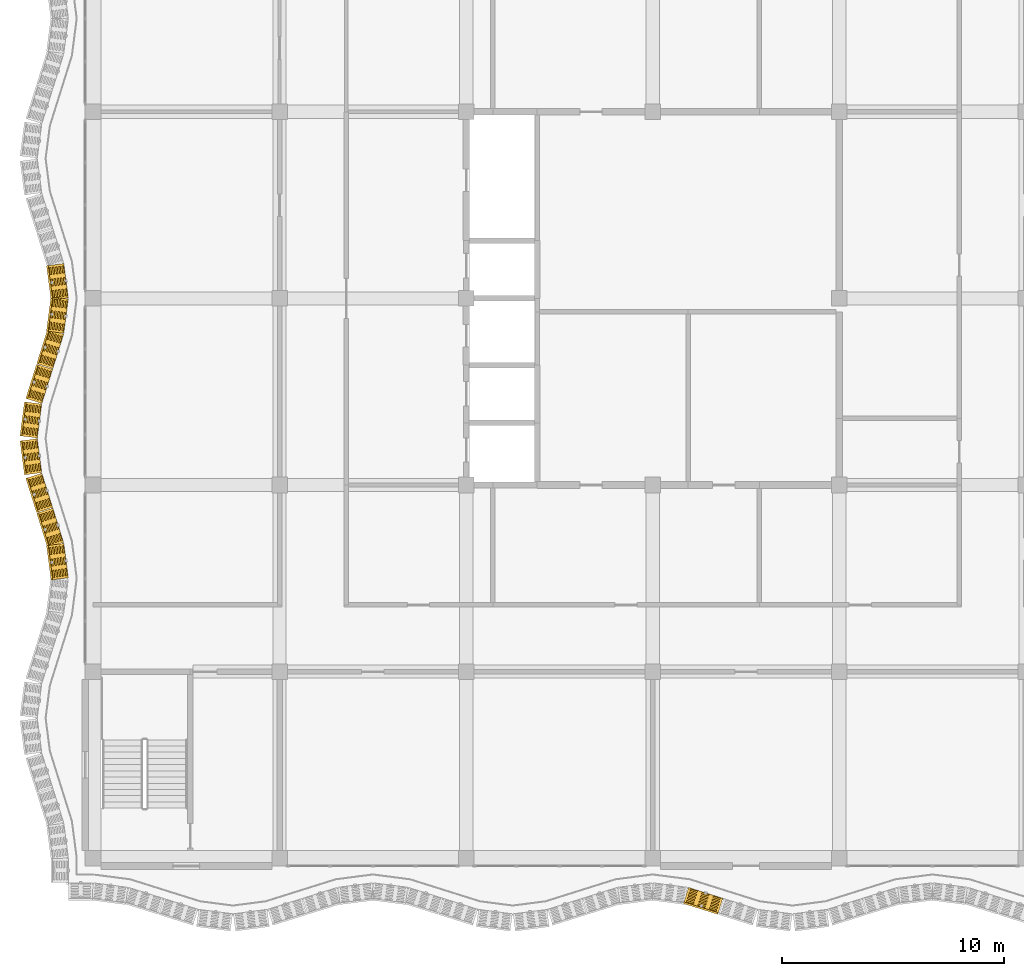
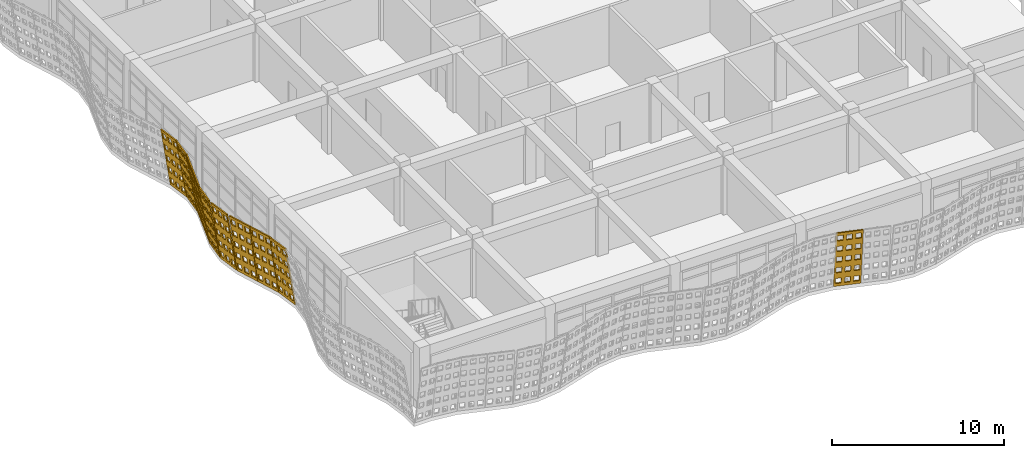
# One storey, part 151 of 163: 10 coverings.
"""IFC4 building model written with IfcOpenShell, lengths in metres."""

from ifc_helpers import new_model, si_unit, direction, frame, origin, place, context, subcontext, project, spatial, polyline, outline, extrude, material, layer, layer_set, type_object, element, save


model = new_model("IFC4")

# Units and contexts
model_context = context("Model", 3, precision=1e-05, world=origin(), true_north=direction((0.0, 1.0)))
body_context = subcontext(model_context, "Body", "Model", "MODEL_VIEW")
ifc_project = project(units=[si_unit("LENGTHUNIT", "METRE"), si_unit("AREAUNIT", "SQUARE_METRE"), si_unit("VOLUMEUNIT", "CUBIC_METRE"), si_unit("PLANEANGLEUNIT", "RADIAN"), si_unit("MASSUNIT", "GRAM", prefix="KILO")], contexts=[model_context])

# Site, building, storey
site_placement = place(None, origin())
site = spatial("IfcSite", under=ifc_project, at=site_placement, CompositionType="ELEMENT")
building_placement = place(site_placement, origin())
building = spatial("IfcBuilding", under=site, at=building_placement, Name="Rain Tree Exposition and Congress Centre", CompositionType="ELEMENT")
storey_placement = place(building_placement, frame((0.0, 0.0, 10.5)))
storey = spatial("IfcBuildingStorey", under=building, at=storey_placement, Name="L02", CompositionType="ELEMENT", Elevation=10.5)

# Coverings
ifc_material = material(Name="Perforated terracotta", Category="masonry")
ifc_layer = layer(ifc_material, 0.080078125)
ifc_layer_set = layer_set([ifc_layer], Name="Perforated terracotta")
covering_type = type_object("IfcCoveringType", Name="Terracotta screen 80", PredefinedType="CLADDING", material=ifc_layer_set)
covering_1_placement = place(storey_placement, frame((26.77490234375, -1.392578125, 0.0), z_axis=(0.295717964052, 0.942029390639, 0.158529217842), x_axis=(-0.954094597562, 0.29950542383, 0.0)))
element("IfcCovering", 1, at=covering_1_placement, inside=storey, type_object=covering_type, Name="wing/screen/L02/018", PredefinedType="CLADDING", context=body_context, shape_type="SweptSolid", body=[
    extrude(outline(polyline([(-1.635986328125, 0.0), (-1.635986328125, 4.291259765625), (-0.014892578125, 4.291259765625), (-0.014892578125, 0.0), (-1.635986328125, 0.0)]), holes=[polyline([(-0.11767578125, 0.221435546875), (-0.11767578125, 0.63671875), (-0.45263671875, 0.63671875), (-0.45263671875, 0.221435546875), (-0.11767578125, 0.221435546875)]), polyline([(-0.11767578125, 1.07958984375), (-0.11767578125, 1.4951171875), (-0.45263671875, 1.4951171875), (-0.45263671875, 1.07958984375), (-0.11767578125, 1.07958984375)]), polyline([(-0.11767578125, 1.93798828125), (-0.11767578125, 2.353271484375), (-0.45263671875, 2.353271484375), (-0.45263671875, 1.93798828125), (-0.11767578125, 1.93798828125)]), polyline([(-0.11767578125, 2.796142578125), (-0.11767578125, 3.21142578125), (-0.45263671875, 3.21142578125), (-0.45263671875, 2.796142578125), (-0.11767578125, 2.796142578125)]), polyline([(-0.11767578125, 3.654541015625), (-0.11767578125, 4.06982421875), (-0.45263671875, 4.06982421875), (-0.45263671875, 3.654541015625), (-0.11767578125, 3.654541015625)]), polyline([(-0.657958984375, 0.221435546875), (-0.657958984375, 0.63671875), (-0.992919921875, 0.63671875), (-0.992919921875, 0.221435546875), (-0.657958984375, 0.221435546875)]), polyline([(-0.657958984375, 1.07958984375), (-0.657958984375, 1.4951171875), (-0.992919921875, 1.4951171875), (-0.992919921875, 1.07958984375), (-0.657958984375, 1.07958984375)]), polyline([(-0.657958984375, 1.93798828125), (-0.657958984375, 2.353271484375), (-0.992919921875, 2.353271484375), (-0.992919921875, 1.93798828125), (-0.657958984375, 1.93798828125)]), polyline([(-0.657958984375, 2.796142578125), (-0.657958984375, 3.21142578125), (-0.992919921875, 3.21142578125), (-0.992919921875, 2.796142578125), (-0.657958984375, 2.796142578125)]), polyline([(-0.657958984375, 3.654541015625), (-0.657958984375, 4.06982421875), (-0.992919921875, 4.06982421875), (-0.992919921875, 3.654541015625), (-0.657958984375, 3.654541015625)]), polyline([(-1.1982421875, 0.221435546875), (-1.1982421875, 0.63671875), (-1.533203125, 0.63671875), (-1.533203125, 0.221435546875), (-1.1982421875, 0.221435546875)]), polyline([(-1.1982421875, 1.07958984375), (-1.1982421875, 1.4951171875), (-1.533203125, 1.4951171875), (-1.533203125, 1.07958984375), (-1.1982421875, 1.07958984375)]), polyline([(-1.1982421875, 1.93798828125), (-1.1982421875, 2.353271484375), (-1.533203125, 2.353271484375), (-1.533203125, 1.93798828125), (-1.1982421875, 1.93798828125)]), polyline([(-1.1982421875, 2.796142578125), (-1.1982421875, 3.21142578125), (-1.533203125, 3.21142578125), (-1.533203125, 2.796142578125), (-1.1982421875, 2.796142578125)]), polyline([(-1.1982421875, 3.654541015625), (-1.1982421875, 4.06982421875), (-1.533203125, 4.06982421875), (-1.533203125, 3.654541015625), (-1.1982421875, 3.654541015625)])]), origin(), (0.0, 0.0, 1.0), 0.080078125),
])
covering_2_placement = place(storey_placement, frame((-1.392578125, 26.77490234375, 0.0), z_axis=(0.978036007662, 0.127967328105, 0.16452942185), x_axis=(-0.129735338481, 0.991548658387, 0.0)))
element("IfcCovering", 2, at=covering_2_placement, inside=storey, type_object=covering_type, Name="wing/screen/L02/118", PredefinedType="CLADDING", context=body_context, shape_type="SweptSolid", body=[
    extrude(outline(polyline([(-1.5732421875, 0.0), (-1.5732421875, 4.295166015625), (-0.014892578125, 4.295166015625), (-0.014892578125, 0.0), (-1.5732421875, 0.0)]), holes=[polyline([(-0.11376953125, 0.2216796875), (-0.11376953125, 0.63720703125), (-0.435791015625, 0.63720703125), (-0.435791015625, 0.2216796875), (-0.11376953125, 0.2216796875)]), polyline([(-0.11376953125, 1.080810546875), (-0.11376953125, 1.496337890625), (-0.435791015625, 1.496337890625), (-0.435791015625, 1.080810546875), (-0.11376953125, 1.080810546875)]), polyline([(-0.11376953125, 1.939697265625), (-0.11376953125, 2.35546875), (-0.435791015625, 2.35546875), (-0.435791015625, 1.939697265625), (-0.11376953125, 1.939697265625)]), polyline([(-0.11376953125, 2.798583984375), (-0.11376953125, 3.21435546875), (-0.435791015625, 3.21435546875), (-0.435791015625, 2.798583984375), (-0.11376953125, 2.798583984375)]), polyline([(-0.11376953125, 3.65771484375), (-0.11376953125, 4.073486328125), (-0.435791015625, 4.073486328125), (-0.435791015625, 3.65771484375), (-0.11376953125, 3.65771484375)]), polyline([(-0.633056640625, 0.2216796875), (-0.633056640625, 0.63720703125), (-0.955078125, 0.63720703125), (-0.955078125, 0.2216796875), (-0.633056640625, 0.2216796875)]), polyline([(-0.633056640625, 1.080810546875), (-0.633056640625, 1.496337890625), (-0.955078125, 1.496337890625), (-0.955078125, 1.080810546875), (-0.633056640625, 1.080810546875)]), polyline([(-0.633056640625, 1.939697265625), (-0.633056640625, 2.35546875), (-0.955078125, 2.35546875), (-0.955078125, 1.939697265625), (-0.633056640625, 1.939697265625)]), polyline([(-0.633056640625, 2.798583984375), (-0.633056640625, 3.21435546875), (-0.955078125, 3.21435546875), (-0.955078125, 2.798583984375), (-0.633056640625, 2.798583984375)]), polyline([(-0.633056640625, 3.65771484375), (-0.633056640625, 4.073486328125), (-0.955078125, 4.073486328125), (-0.955078125, 3.65771484375), (-0.633056640625, 3.65771484375)]), polyline([(-1.152587890625, 0.2216796875), (-1.152587890625, 0.63720703125), (-1.474609375, 0.63720703125), (-1.474609375, 0.2216796875), (-1.152587890625, 0.2216796875)]), polyline([(-1.152587890625, 1.080810546875), (-1.152587890625, 1.496337890625), (-1.474609375, 1.496337890625), (-1.474609375, 1.080810546875), (-1.152587890625, 1.080810546875)]), polyline([(-1.152587890625, 1.939697265625), (-1.152587890625, 2.35546875), (-1.474609375, 2.35546875), (-1.474609375, 1.939697265625), (-1.152587890625, 1.939697265625)]), polyline([(-1.152587890625, 2.798583984375), (-1.152587890625, 3.21435546875), (-1.474609375, 3.21435546875), (-1.474609375, 2.798583984375), (-1.152587890625, 2.798583984375)]), polyline([(-1.152587890625, 3.65771484375), (-1.152587890625, 4.073486328125), (-1.474609375, 4.073486328125), (-1.474609375, 3.65771484375), (-1.152587890625, 3.65771484375)])]), origin(), (0.0, 0.0, 1.0), 0.080078125),
])
covering_3_placement = place(storey_placement, frame((-1.1875, 25.199951171875, 0.0), z_axis=(0.9779030419, -0.128349774249, 0.165021138321), x_axis=(0.130133906157, 0.991496427865, 0.0)))
element("IfcCovering", 3, at=covering_3_placement, inside=storey, type_object=covering_type, Name="wing/screen/L02/119", PredefinedType="CLADDING", context=body_context, shape_type="SweptSolid", body=[
    extrude(outline(polyline([(-1.5732421875, 0.0), (-1.5732421875, 4.295166015625), (-0.014892578125, 4.295166015625), (-0.014892578125, 0.0), (-1.5732421875, 0.0)]), holes=[polyline([(-0.11376953125, 0.2216796875), (-0.11376953125, 0.63720703125), (-0.435791015625, 0.63720703125), (-0.435791015625, 0.2216796875), (-0.11376953125, 0.2216796875)]), polyline([(-0.11376953125, 1.080810546875), (-0.11376953125, 1.496337890625), (-0.435791015625, 1.496337890625), (-0.435791015625, 1.080810546875), (-0.11376953125, 1.080810546875)]), polyline([(-0.11376953125, 1.939697265625), (-0.11376953125, 2.35546875), (-0.435791015625, 2.35546875), (-0.435791015625, 1.939697265625), (-0.11376953125, 1.939697265625)]), polyline([(-0.11376953125, 2.798583984375), (-0.11376953125, 3.21435546875), (-0.435791015625, 3.21435546875), (-0.435791015625, 2.798583984375), (-0.11376953125, 2.798583984375)]), polyline([(-0.11376953125, 3.65771484375), (-0.11376953125, 4.073486328125), (-0.435791015625, 4.073486328125), (-0.435791015625, 3.65771484375), (-0.11376953125, 3.65771484375)]), polyline([(-0.633056640625, 0.2216796875), (-0.633056640625, 0.63720703125), (-0.955078125, 0.63720703125), (-0.955078125, 0.2216796875), (-0.633056640625, 0.2216796875)]), polyline([(-0.633056640625, 1.080810546875), (-0.633056640625, 1.496337890625), (-0.955078125, 1.496337890625), (-0.955078125, 1.080810546875), (-0.633056640625, 1.080810546875)]), polyline([(-0.633056640625, 1.939697265625), (-0.633056640625, 2.35546875), (-0.955078125, 2.35546875), (-0.955078125, 1.939697265625), (-0.633056640625, 1.939697265625)]), polyline([(-0.633056640625, 2.798583984375), (-0.633056640625, 3.21435546875), (-0.955078125, 3.21435546875), (-0.955078125, 2.798583984375), (-0.633056640625, 2.798583984375)]), polyline([(-0.633056640625, 3.65771484375), (-0.633056640625, 4.073486328125), (-0.955078125, 4.073486328125), (-0.955078125, 3.65771484375), (-0.633056640625, 3.65771484375)]), polyline([(-1.152587890625, 0.2216796875), (-1.152587890625, 0.63720703125), (-1.474609375, 0.63720703125), (-1.474609375, 0.2216796875), (-1.152587890625, 0.2216796875)]), polyline([(-1.152587890625, 1.080810546875), (-1.152587890625, 1.496337890625), (-1.474609375, 1.496337890625), (-1.474609375, 1.080810546875), (-1.152587890625, 1.080810546875)]), polyline([(-1.152587890625, 1.939697265625), (-1.152587890625, 2.35546875), (-1.474609375, 2.35546875), (-1.474609375, 1.939697265625), (-1.152587890625, 1.939697265625)]), polyline([(-1.152587890625, 2.798583984375), (-1.152587890625, 3.21435546875), (-1.474609375, 3.21435546875), (-1.474609375, 2.798583984375), (-1.152587890625, 2.798583984375)]), polyline([(-1.152587890625, 3.65771484375), (-1.152587890625, 4.073486328125), (-1.474609375, 4.073486328125), (-1.474609375, 3.65771484375), (-1.152587890625, 3.65771484375)])]), origin(), (0.0, 0.0, 1.0), 0.079833984375),
])
covering_4_placement = place(storey_placement, frame((-1.392578125, 23.625, 0.0), z_axis=(0.942029390639, -0.295717964052, 0.158529217842), x_axis=(0.29950542383, 0.954094597562, 0.0)))
element("IfcCovering", 4, at=covering_4_placement, inside=storey, type_object=covering_type, Name="wing/screen/L02/120", PredefinedType="CLADDING", context=body_context, shape_type="SweptSolid", body=[
    extrude(outline(polyline([(-1.635986328125, 0.0), (-1.635986328125, 4.291259765625), (-0.014892578125, 4.291259765625), (-0.014892578125, 0.0), (-1.635986328125, 0.0)]), holes=[polyline([(-0.11767578125, 0.221435546875), (-0.11767578125, 0.63671875), (-0.45263671875, 0.63671875), (-0.45263671875, 0.221435546875), (-0.11767578125, 0.221435546875)]), polyline([(-0.11767578125, 1.07958984375), (-0.11767578125, 1.4951171875), (-0.45263671875, 1.4951171875), (-0.45263671875, 1.07958984375), (-0.11767578125, 1.07958984375)]), polyline([(-0.11767578125, 1.93798828125), (-0.11767578125, 2.353271484375), (-0.45263671875, 2.353271484375), (-0.45263671875, 1.93798828125), (-0.11767578125, 1.93798828125)]), polyline([(-0.11767578125, 2.796142578125), (-0.11767578125, 3.21142578125), (-0.45263671875, 3.21142578125), (-0.45263671875, 2.796142578125), (-0.11767578125, 2.796142578125)]), polyline([(-0.11767578125, 3.654541015625), (-0.11767578125, 4.06982421875), (-0.45263671875, 4.06982421875), (-0.45263671875, 3.654541015625), (-0.11767578125, 3.654541015625)]), polyline([(-0.657958984375, 0.221435546875), (-0.657958984375, 0.63671875), (-0.992919921875, 0.63671875), (-0.992919921875, 0.221435546875), (-0.657958984375, 0.221435546875)]), polyline([(-0.657958984375, 1.07958984375), (-0.657958984375, 1.4951171875), (-0.992919921875, 1.4951171875), (-0.992919921875, 1.07958984375), (-0.657958984375, 1.07958984375)]), polyline([(-0.657958984375, 1.93798828125), (-0.657958984375, 2.353271484375), (-0.992919921875, 2.353271484375), (-0.992919921875, 1.93798828125), (-0.657958984375, 1.93798828125)]), polyline([(-0.657958984375, 2.796142578125), (-0.657958984375, 3.21142578125), (-0.992919921875, 3.21142578125), (-0.992919921875, 2.796142578125), (-0.657958984375, 2.796142578125)]), polyline([(-0.657958984375, 3.654541015625), (-0.657958984375, 4.06982421875), (-0.992919921875, 4.06982421875), (-0.992919921875, 3.654541015625), (-0.657958984375, 3.654541015625)]), polyline([(-1.1982421875, 0.221435546875), (-1.1982421875, 0.63671875), (-1.533203125, 0.63671875), (-1.533203125, 0.221435546875), (-1.1982421875, 0.221435546875)]), polyline([(-1.1982421875, 1.07958984375), (-1.1982421875, 1.4951171875), (-1.533203125, 1.4951171875), (-1.533203125, 1.07958984375), (-1.1982421875, 1.07958984375)]), polyline([(-1.1982421875, 1.93798828125), (-1.1982421875, 2.353271484375), (-1.533203125, 2.353271484375), (-1.533203125, 1.93798828125), (-1.1982421875, 1.93798828125)]), polyline([(-1.1982421875, 2.796142578125), (-1.1982421875, 3.21142578125), (-1.533203125, 3.21142578125), (-1.533203125, 2.796142578125), (-1.1982421875, 2.796142578125)]), polyline([(-1.1982421875, 3.654541015625), (-1.1982421875, 4.06982421875), (-1.533203125, 4.06982421875), (-1.533203125, 3.654541015625), (-1.1982421875, 3.654541015625)])]), origin(), (0.0, 0.0, 1.0), 0.080078125),
])
covering_5_placement = place(storey_placement, frame((-1.8876953125, 22.050048828125, 0.0), z_axis=(0.942029390639, -0.295717964052, 0.158529217842), x_axis=(0.29950542383, 0.954094597562, 0.0)))
element("IfcCovering", 5, at=covering_5_placement, inside=storey, type_object=covering_type, Name="wing/screen/L02/121", PredefinedType="CLADDING", context=body_context, shape_type="SweptSolid", body=[
    extrude(outline(polyline([(-1.62890625, 0.0), (-1.62890625, 4.291259765625), (-0.014892578125, 4.291259765625), (-0.014892578125, 0.0), (-1.62890625, 0.0)]), holes=[polyline([(-0.1171875, 0.221435546875), (-0.1171875, 0.63671875), (-0.45068359375, 0.63671875), (-0.45068359375, 0.221435546875), (-0.1171875, 0.221435546875)]), polyline([(-0.1171875, 1.07958984375), (-0.1171875, 1.4951171875), (-0.45068359375, 1.4951171875), (-0.45068359375, 1.07958984375), (-0.1171875, 1.07958984375)]), polyline([(-0.1171875, 1.93798828125), (-0.1171875, 2.353271484375), (-0.45068359375, 2.353271484375), (-0.45068359375, 1.93798828125), (-0.1171875, 1.93798828125)]), polyline([(-0.1171875, 2.796142578125), (-0.1171875, 3.21142578125), (-0.45068359375, 3.21142578125), (-0.45068359375, 2.796142578125), (-0.1171875, 2.796142578125)]), polyline([(-0.1171875, 3.654541015625), (-0.1171875, 4.06982421875), (-0.45068359375, 4.06982421875), (-0.45068359375, 3.654541015625), (-0.1171875, 3.654541015625)]), polyline([(-0.6552734375, 0.221435546875), (-0.6552734375, 0.63671875), (-0.98876953125, 0.63671875), (-0.98876953125, 0.221435546875), (-0.6552734375, 0.221435546875)]), polyline([(-0.6552734375, 1.07958984375), (-0.6552734375, 1.4951171875), (-0.98876953125, 1.4951171875), (-0.98876953125, 1.07958984375), (-0.6552734375, 1.07958984375)]), polyline([(-0.6552734375, 1.93798828125), (-0.6552734375, 2.353271484375), (-0.98876953125, 2.353271484375), (-0.98876953125, 1.93798828125), (-0.6552734375, 1.93798828125)]), polyline([(-0.6552734375, 2.796142578125), (-0.6552734375, 3.21142578125), (-0.98876953125, 3.21142578125), (-0.98876953125, 2.796142578125), (-0.6552734375, 2.796142578125)]), polyline([(-0.6552734375, 3.654541015625), (-0.6552734375, 4.06982421875), (-0.98876953125, 4.06982421875), (-0.98876953125, 3.654541015625), (-0.6552734375, 3.654541015625)]), polyline([(-1.193115234375, 0.221435546875), (-1.193115234375, 0.63671875), (-1.526611328125, 0.63671875), (-1.526611328125, 0.221435546875), (-1.193115234375, 0.221435546875)]), polyline([(-1.193115234375, 1.07958984375), (-1.193115234375, 1.4951171875), (-1.526611328125, 1.4951171875), (-1.526611328125, 1.07958984375), (-1.193115234375, 1.07958984375)]), polyline([(-1.193115234375, 1.93798828125), (-1.193115234375, 2.353271484375), (-1.526611328125, 2.353271484375), (-1.526611328125, 1.93798828125), (-1.193115234375, 1.93798828125)]), polyline([(-1.193115234375, 2.796142578125), (-1.193115234375, 3.21142578125), (-1.526611328125, 3.21142578125), (-1.526611328125, 2.796142578125), (-1.193115234375, 2.796142578125)]), polyline([(-1.193115234375, 3.654541015625), (-1.193115234375, 4.06982421875), (-1.526611328125, 4.06982421875), (-1.526611328125, 3.654541015625), (-1.193115234375, 3.654541015625)])]), origin(), (0.0, 0.0, 1.0), 0.080078125),
])
covering_6_placement = place(storey_placement, frame((-2.382568359375, 20.47509765625, 0.0), z_axis=(0.978036007662, -0.127967328105, 0.16452942185), x_axis=(0.129735338481, 0.991548658387, 0.0)))
element("IfcCovering", 6, at=covering_6_placement, inside=storey, type_object=covering_type, Name="wing/screen/L02/122", PredefinedType="CLADDING", context=body_context, shape_type="SweptSolid", body=[
    extrude(outline(polyline([(-1.56298828125, 0.0), (-1.56298828125, 4.295166015625), (-0.02197265625, 4.295166015625), (-0.02197265625, 0.0), (-1.56298828125, 0.0)]), holes=[polyline([(-0.11962890625, 0.2216796875), (-0.11962890625, 0.63720703125), (-0.43798828125, 0.63720703125), (-0.43798828125, 0.2216796875), (-0.11962890625, 0.2216796875)]), polyline([(-0.11962890625, 1.080810546875), (-0.11962890625, 1.496337890625), (-0.43798828125, 1.496337890625), (-0.43798828125, 1.080810546875), (-0.11962890625, 1.080810546875)]), polyline([(-0.11962890625, 1.939697265625), (-0.11962890625, 2.35546875), (-0.43798828125, 2.35546875), (-0.43798828125, 1.939697265625), (-0.11962890625, 1.939697265625)]), polyline([(-0.11962890625, 2.798583984375), (-0.11962890625, 3.21435546875), (-0.43798828125, 3.21435546875), (-0.43798828125, 2.798583984375), (-0.11962890625, 2.798583984375)]), polyline([(-0.11962890625, 3.65771484375), (-0.11962890625, 4.073486328125), (-0.43798828125, 4.073486328125), (-0.43798828125, 3.65771484375), (-0.11962890625, 3.65771484375)]), polyline([(-0.63330078125, 0.2216796875), (-0.63330078125, 0.63720703125), (-0.95166015625, 0.63720703125), (-0.95166015625, 0.2216796875), (-0.63330078125, 0.2216796875)]), polyline([(-0.63330078125, 1.080810546875), (-0.63330078125, 1.496337890625), (-0.95166015625, 1.496337890625), (-0.95166015625, 1.080810546875), (-0.63330078125, 1.080810546875)]), polyline([(-0.63330078125, 1.939697265625), (-0.63330078125, 2.35546875), (-0.95166015625, 2.35546875), (-0.95166015625, 1.939697265625), (-0.63330078125, 1.939697265625)]), polyline([(-0.63330078125, 2.798583984375), (-0.63330078125, 3.21435546875), (-0.95166015625, 3.21435546875), (-0.95166015625, 2.798583984375), (-0.63330078125, 2.798583984375)]), polyline([(-0.63330078125, 3.65771484375), (-0.63330078125, 4.073486328125), (-0.95166015625, 4.073486328125), (-0.95166015625, 3.65771484375), (-0.63330078125, 3.65771484375)]), polyline([(-1.146728515625, 0.2216796875), (-1.146728515625, 0.63720703125), (-1.46533203125, 0.63720703125), (-1.46533203125, 0.2216796875), (-1.146728515625, 0.2216796875)]), polyline([(-1.146728515625, 1.080810546875), (-1.146728515625, 1.496337890625), (-1.46533203125, 1.496337890625), (-1.46533203125, 1.080810546875), (-1.146728515625, 1.080810546875)]), polyline([(-1.146728515625, 1.939697265625), (-1.146728515625, 2.35546875), (-1.46533203125, 2.35546875), (-1.46533203125, 1.939697265625), (-1.146728515625, 1.939697265625)]), polyline([(-1.146728515625, 2.798583984375), (-1.146728515625, 3.21435546875), (-1.46533203125, 3.21435546875), (-1.46533203125, 2.798583984375), (-1.146728515625, 2.798583984375)]), polyline([(-1.146728515625, 3.65771484375), (-1.146728515625, 4.073486328125), (-1.46533203125, 4.073486328125), (-1.46533203125, 3.65771484375), (-1.146728515625, 3.65771484375)])]), origin(), (0.0, 0.0, 1.0), 0.080078125),
])
covering_7_placement = place(storey_placement, frame((-2.587646484375, 18.89990234375, 0.0), z_axis=(0.978036007662, 0.127967328105, 0.16452942185), x_axis=(-0.129735338481, 0.991548658387, 0.0)))
element("IfcCovering", 7, at=covering_7_placement, inside=storey, type_object=covering_type, Name="wing/screen/L02/123", PredefinedType="CLADDING", context=body_context, shape_type="SweptSolid", body=[
    extrude(outline(polyline([(-1.56640625, 0.0), (-1.56640625, 4.295166015625), (-0.025390625, 4.295166015625), (-0.025390625, 0.0), (-1.56640625, 0.0)]), holes=[polyline([(-0.123046875, 0.2216796875), (-0.123046875, 0.63720703125), (-0.44140625, 0.63720703125), (-0.44140625, 0.2216796875), (-0.123046875, 0.2216796875)]), polyline([(-0.123046875, 1.080810546875), (-0.123046875, 1.496337890625), (-0.44140625, 1.496337890625), (-0.44140625, 1.080810546875), (-0.123046875, 1.080810546875)]), polyline([(-0.123046875, 1.939697265625), (-0.123046875, 2.35546875), (-0.44140625, 2.35546875), (-0.44140625, 1.939697265625), (-0.123046875, 1.939697265625)]), polyline([(-0.123046875, 2.798583984375), (-0.123046875, 3.21435546875), (-0.44140625, 3.21435546875), (-0.44140625, 2.798583984375), (-0.123046875, 2.798583984375)]), polyline([(-0.123046875, 3.65771484375), (-0.123046875, 4.073486328125), (-0.44140625, 4.073486328125), (-0.44140625, 3.65771484375), (-0.123046875, 3.65771484375)]), polyline([(-0.63671875, 0.2216796875), (-0.63671875, 0.63720703125), (-0.955078125, 0.63720703125), (-0.955078125, 0.2216796875), (-0.63671875, 0.2216796875)]), polyline([(-0.63671875, 1.080810546875), (-0.63671875, 1.496337890625), (-0.955078125, 1.496337890625), (-0.955078125, 1.080810546875), (-0.63671875, 1.080810546875)]), polyline([(-0.63671875, 1.939697265625), (-0.63671875, 2.35546875), (-0.955078125, 2.35546875), (-0.955078125, 1.939697265625), (-0.63671875, 1.939697265625)]), polyline([(-0.63671875, 2.798583984375), (-0.63671875, 3.21435546875), (-0.955078125, 3.21435546875), (-0.955078125, 2.798583984375), (-0.63671875, 2.798583984375)]), polyline([(-0.63671875, 3.65771484375), (-0.63671875, 4.073486328125), (-0.955078125, 4.073486328125), (-0.955078125, 3.65771484375), (-0.63671875, 3.65771484375)]), polyline([(-1.150146484375, 0.2216796875), (-1.150146484375, 0.63720703125), (-1.46875, 0.63720703125), (-1.46875, 0.2216796875), (-1.150146484375, 0.2216796875)]), polyline([(-1.150146484375, 1.080810546875), (-1.150146484375, 1.496337890625), (-1.46875, 1.496337890625), (-1.46875, 1.080810546875), (-1.150146484375, 1.080810546875)]), polyline([(-1.150146484375, 1.939697265625), (-1.150146484375, 2.35546875), (-1.46875, 2.35546875), (-1.46875, 1.939697265625), (-1.150146484375, 1.939697265625)]), polyline([(-1.150146484375, 2.798583984375), (-1.150146484375, 3.21435546875), (-1.46875, 3.21435546875), (-1.46875, 2.798583984375), (-1.150146484375, 2.798583984375)]), polyline([(-1.150146484375, 3.65771484375), (-1.150146484375, 4.073486328125), (-1.46875, 4.073486328125), (-1.46875, 3.65771484375), (-1.150146484375, 3.65771484375)])]), origin(), (0.0, 0.0, 1.0), 0.080078125),
])
covering_8_placement = place(storey_placement, frame((-2.382568359375, 17.324951171875, 0.0), z_axis=(0.942029390639, 0.295717964052, 0.158529217842), x_axis=(-0.29950542383, 0.954094597562, 0.0)))
element("IfcCovering", 8, at=covering_8_placement, inside=storey, type_object=covering_type, Name="wing/screen/L02/124", PredefinedType="CLADDING", context=body_context, shape_type="SweptSolid", body=[
    extrude(outline(polyline([(-1.635986328125, 0.0), (-1.635986328125, 4.291259765625), (-0.02197265625, 4.291259765625), (-0.02197265625, 0.0), (-1.635986328125, 0.0)]), holes=[polyline([(-0.124267578125, 0.221435546875), (-0.124267578125, 0.63671875), (-0.457763671875, 0.63671875), (-0.457763671875, 0.221435546875), (-0.124267578125, 0.221435546875)]), polyline([(-0.124267578125, 1.07958984375), (-0.124267578125, 1.4951171875), (-0.457763671875, 1.4951171875), (-0.457763671875, 1.07958984375), (-0.124267578125, 1.07958984375)]), polyline([(-0.124267578125, 1.93798828125), (-0.124267578125, 2.353271484375), (-0.457763671875, 2.353271484375), (-0.457763671875, 1.93798828125), (-0.124267578125, 1.93798828125)]), polyline([(-0.124267578125, 2.796142578125), (-0.124267578125, 3.21142578125), (-0.457763671875, 3.21142578125), (-0.457763671875, 2.796142578125), (-0.124267578125, 2.796142578125)]), polyline([(-0.124267578125, 3.654541015625), (-0.124267578125, 4.06982421875), (-0.457763671875, 4.06982421875), (-0.457763671875, 3.654541015625), (-0.124267578125, 3.654541015625)]), polyline([(-0.662109375, 0.221435546875), (-0.662109375, 0.63671875), (-0.995849609375, 0.63671875), (-0.995849609375, 0.221435546875), (-0.662109375, 0.221435546875)]), polyline([(-0.662109375, 1.07958984375), (-0.662109375, 1.4951171875), (-0.995849609375, 1.4951171875), (-0.995849609375, 1.07958984375), (-0.662109375, 1.07958984375)]), polyline([(-0.662109375, 1.93798828125), (-0.662109375, 2.353271484375), (-0.995849609375, 2.353271484375), (-0.995849609375, 1.93798828125), (-0.662109375, 1.93798828125)]), polyline([(-0.662109375, 2.796142578125), (-0.662109375, 3.21142578125), (-0.995849609375, 3.21142578125), (-0.995849609375, 2.796142578125), (-0.662109375, 2.796142578125)]), polyline([(-0.662109375, 3.654541015625), (-0.662109375, 4.06982421875), (-0.995849609375, 4.06982421875), (-0.995849609375, 3.654541015625), (-0.662109375, 3.654541015625)]), polyline([(-1.2001953125, 0.221435546875), (-1.2001953125, 0.63671875), (-1.53369140625, 0.63671875), (-1.53369140625, 0.221435546875), (-1.2001953125, 0.221435546875)]), polyline([(-1.2001953125, 1.07958984375), (-1.2001953125, 1.4951171875), (-1.53369140625, 1.4951171875), (-1.53369140625, 1.07958984375), (-1.2001953125, 1.07958984375)]), polyline([(-1.2001953125, 1.93798828125), (-1.2001953125, 2.353271484375), (-1.53369140625, 2.353271484375), (-1.53369140625, 1.93798828125), (-1.2001953125, 1.93798828125)]), polyline([(-1.2001953125, 2.796142578125), (-1.2001953125, 3.21142578125), (-1.53369140625, 3.21142578125), (-1.53369140625, 2.796142578125), (-1.2001953125, 2.796142578125)]), polyline([(-1.2001953125, 3.654541015625), (-1.2001953125, 4.06982421875), (-1.53369140625, 4.06982421875), (-1.53369140625, 3.654541015625), (-1.2001953125, 3.654541015625)])]), origin(), (0.0, 0.0, 1.0), 0.080078125),
])
covering_9_placement = place(storey_placement, frame((-1.8876953125, 15.75, 0.0), z_axis=(0.942029390639, 0.295717964052, 0.158529217842), x_axis=(-0.29950542383, 0.954094597562, 0.0)))
element("IfcCovering", 9, at=covering_9_placement, inside=storey, type_object=covering_type, Name="wing/screen/L02/125", PredefinedType="CLADDING", context=body_context, shape_type="SweptSolid", body=[
    extrude(outline(polyline([(-1.635986328125, 0.0), (-1.635986328125, 4.291259765625), (-0.014892578125, 4.291259765625), (-0.014892578125, 0.0), (-1.635986328125, 0.0)]), holes=[polyline([(-0.11767578125, 0.221435546875), (-0.11767578125, 0.63671875), (-0.45263671875, 0.63671875), (-0.45263671875, 0.221435546875), (-0.11767578125, 0.221435546875)]), polyline([(-0.11767578125, 1.07958984375), (-0.11767578125, 1.4951171875), (-0.45263671875, 1.4951171875), (-0.45263671875, 1.07958984375), (-0.11767578125, 1.07958984375)]), polyline([(-0.11767578125, 1.93798828125), (-0.11767578125, 2.353271484375), (-0.45263671875, 2.353271484375), (-0.45263671875, 1.93798828125), (-0.11767578125, 1.93798828125)]), polyline([(-0.11767578125, 2.796142578125), (-0.11767578125, 3.21142578125), (-0.45263671875, 3.21142578125), (-0.45263671875, 2.796142578125), (-0.11767578125, 2.796142578125)]), polyline([(-0.11767578125, 3.654541015625), (-0.11767578125, 4.06982421875), (-0.45263671875, 4.06982421875), (-0.45263671875, 3.654541015625), (-0.11767578125, 3.654541015625)]), polyline([(-0.657958984375, 0.221435546875), (-0.657958984375, 0.63671875), (-0.992919921875, 0.63671875), (-0.992919921875, 0.221435546875), (-0.657958984375, 0.221435546875)]), polyline([(-0.657958984375, 1.07958984375), (-0.657958984375, 1.4951171875), (-0.992919921875, 1.4951171875), (-0.992919921875, 1.07958984375), (-0.657958984375, 1.07958984375)]), polyline([(-0.657958984375, 1.93798828125), (-0.657958984375, 2.353271484375), (-0.992919921875, 2.353271484375), (-0.992919921875, 1.93798828125), (-0.657958984375, 1.93798828125)]), polyline([(-0.657958984375, 2.796142578125), (-0.657958984375, 3.21142578125), (-0.992919921875, 3.21142578125), (-0.992919921875, 2.796142578125), (-0.657958984375, 2.796142578125)]), polyline([(-0.657958984375, 3.654541015625), (-0.657958984375, 4.06982421875), (-0.992919921875, 4.06982421875), (-0.992919921875, 3.654541015625), (-0.657958984375, 3.654541015625)]), polyline([(-1.1982421875, 0.221435546875), (-1.1982421875, 0.63671875), (-1.533203125, 0.63671875), (-1.533203125, 0.221435546875), (-1.1982421875, 0.221435546875)]), polyline([(-1.1982421875, 1.07958984375), (-1.1982421875, 1.4951171875), (-1.533203125, 1.4951171875), (-1.533203125, 1.07958984375), (-1.1982421875, 1.07958984375)]), polyline([(-1.1982421875, 1.93798828125), (-1.1982421875, 2.353271484375), (-1.533203125, 2.353271484375), (-1.533203125, 1.93798828125), (-1.1982421875, 1.93798828125)]), polyline([(-1.1982421875, 2.796142578125), (-1.1982421875, 3.21142578125), (-1.533203125, 3.21142578125), (-1.533203125, 2.796142578125), (-1.1982421875, 2.796142578125)]), polyline([(-1.1982421875, 3.654541015625), (-1.1982421875, 4.06982421875), (-1.533203125, 4.06982421875), (-1.533203125, 3.654541015625), (-1.1982421875, 3.654541015625)])]), origin(), (0.0, 0.0, 1.0), 0.080078125),
])
covering_10_placement = place(storey_placement, frame((-1.392578125, 14.175048828125, 0.0), z_axis=(0.978036007662, 0.127967328105, 0.16452942185), x_axis=(-0.129735338481, 0.991548658387, 0.0)))
element("IfcCovering", 10, at=covering_10_placement, inside=storey, type_object=covering_type, Name="wing/screen/L02/126", PredefinedType="CLADDING", context=body_context, shape_type="SweptSolid", body=[
    extrude(outline(polyline([(-1.5732421875, 0.0), (-1.5732421875, 4.295166015625), (-0.014892578125, 4.295166015625), (-0.014892578125, 0.0), (-1.5732421875, 0.0)]), holes=[polyline([(-0.11376953125, 0.2216796875), (-0.11376953125, 0.63720703125), (-0.435791015625, 0.63720703125), (-0.435791015625, 0.2216796875), (-0.11376953125, 0.2216796875)]), polyline([(-0.11376953125, 1.080810546875), (-0.11376953125, 1.496337890625), (-0.435791015625, 1.496337890625), (-0.435791015625, 1.080810546875), (-0.11376953125, 1.080810546875)]), polyline([(-0.11376953125, 1.939697265625), (-0.11376953125, 2.35546875), (-0.435791015625, 2.35546875), (-0.435791015625, 1.939697265625), (-0.11376953125, 1.939697265625)]), polyline([(-0.11376953125, 2.798583984375), (-0.11376953125, 3.21435546875), (-0.435791015625, 3.21435546875), (-0.435791015625, 2.798583984375), (-0.11376953125, 2.798583984375)]), polyline([(-0.11376953125, 3.65771484375), (-0.11376953125, 4.073486328125), (-0.435791015625, 4.073486328125), (-0.435791015625, 3.65771484375), (-0.11376953125, 3.65771484375)]), polyline([(-0.633056640625, 0.2216796875), (-0.633056640625, 0.63720703125), (-0.955078125, 0.63720703125), (-0.955078125, 0.2216796875), (-0.633056640625, 0.2216796875)]), polyline([(-0.633056640625, 1.080810546875), (-0.633056640625, 1.496337890625), (-0.955078125, 1.496337890625), (-0.955078125, 1.080810546875), (-0.633056640625, 1.080810546875)]), polyline([(-0.633056640625, 1.939697265625), (-0.633056640625, 2.35546875), (-0.955078125, 2.35546875), (-0.955078125, 1.939697265625), (-0.633056640625, 1.939697265625)]), polyline([(-0.633056640625, 2.798583984375), (-0.633056640625, 3.21435546875), (-0.955078125, 3.21435546875), (-0.955078125, 2.798583984375), (-0.633056640625, 2.798583984375)]), polyline([(-0.633056640625, 3.65771484375), (-0.633056640625, 4.073486328125), (-0.955078125, 4.073486328125), (-0.955078125, 3.65771484375), (-0.633056640625, 3.65771484375)]), polyline([(-1.152587890625, 0.2216796875), (-1.152587890625, 0.63720703125), (-1.474609375, 0.63720703125), (-1.474609375, 0.2216796875), (-1.152587890625, 0.2216796875)]), polyline([(-1.152587890625, 1.080810546875), (-1.152587890625, 1.496337890625), (-1.474609375, 1.496337890625), (-1.474609375, 1.080810546875), (-1.152587890625, 1.080810546875)]), polyline([(-1.152587890625, 1.939697265625), (-1.152587890625, 2.35546875), (-1.474609375, 2.35546875), (-1.474609375, 1.939697265625), (-1.152587890625, 1.939697265625)]), polyline([(-1.152587890625, 2.798583984375), (-1.152587890625, 3.21435546875), (-1.474609375, 3.21435546875), (-1.474609375, 2.798583984375), (-1.152587890625, 2.798583984375)]), polyline([(-1.152587890625, 3.65771484375), (-1.152587890625, 4.073486328125), (-1.474609375, 4.073486328125), (-1.474609375, 3.65771484375), (-1.152587890625, 3.65771484375)])]), origin(), (0.0, 0.0, 1.0), 0.080078125),
])

save(model, "model.ifc")
